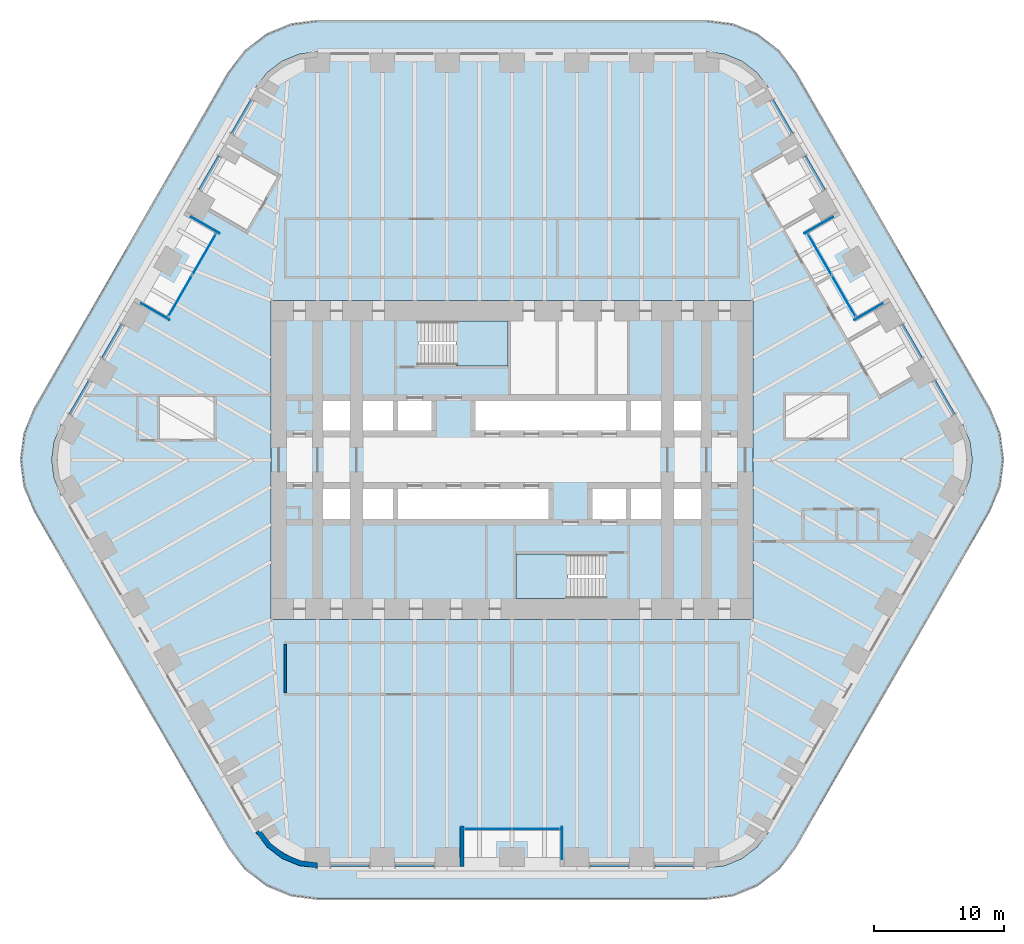
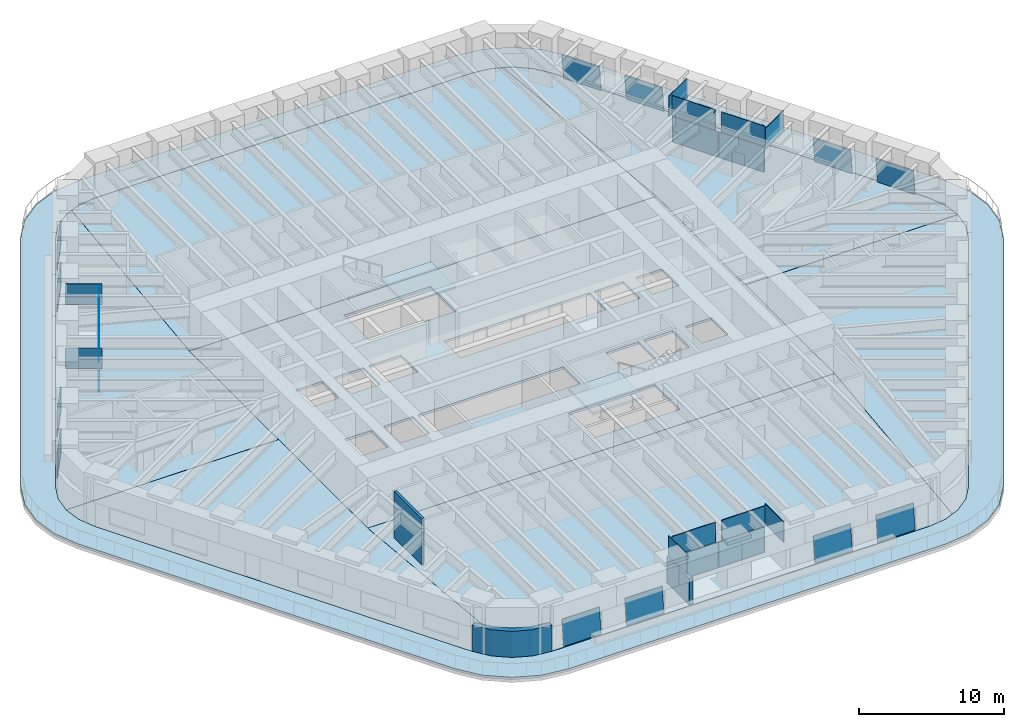
# One storey, part 11 of 19: 30 plates, 10 slabs, 3 walls, 17 elements without a shape of their own.
"""IFC4 building model written with IfcOpenShell, lengths in metres."""

from ifc_helpers import new_model, si_unit, direction, frame, frame_2d, origin, origin_2d, place, context, subcontext, project, spatial, polyline, rectangle, outline, extrude, material, layer, layer_set, type_object, element, aggregate, save


model = new_model("IFC4")

# Units and contexts
model_context = context("Model", 3, precision=1e-05, world=origin(), true_north=direction((0.0, 1.0)))
body_context = subcontext(model_context, "Body", "Model", "MODEL_VIEW")
ifc_project = project(units=[si_unit("LENGTHUNIT", "METRE"), si_unit("AREAUNIT", "SQUARE_METRE"), si_unit("VOLUMEUNIT", "CUBIC_METRE"), si_unit("PLANEANGLEUNIT", "RADIAN"), si_unit("MASSUNIT", "GRAM", prefix="KILO")], contexts=[model_context])

# Site, building, storey
site_placement = place(None, origin())
site = spatial("IfcSite", under=ifc_project, at=site_placement, CompositionType="ELEMENT")
building_placement = place(site_placement, origin())
building = spatial("IfcBuilding", under=site, at=building_placement, Name="Tarfa Lantern Tower", CompositionType="ELEMENT")
storey_placement = place(building_placement, frame((0.0, 0.0, 199.300048828125)))
storey = spatial("IfcBuildingStorey", under=building, at=storey_placement, Name="L45", CompositionType="ELEMENT", Elevation=199.300048828125)

# Slab
ifc_material_1 = material(Name="Concrete C40/50", Category="concrete")
ifc_layer_1 = layer(ifc_material_1, 0.199951171875)
ifc_layer_set_1 = layer_set([ifc_layer_1], Name="BS2 BALCONY SLAB 200")
slab_type_1 = type_object("IfcSlabType", Name="BS2 BALCONY SLAB 200", PredefinedType="FLOOR", material=ifc_layer_set_1)
slab_1_placement = place(storey_placement, frame((0.0, 0.0, -0.199951171875)))
element("IfcSlab", 1, at=slab_1_placement, inside=storey, type_object=slab_type_1, Name="Balcony L45", PredefinedType="FLOOR", context=body_context, shape_type="SweptSolid", body=[
    extrude(outline(polyline([(36.86376953125, 3.949951171875), (21.852783203125, 29.949951171875), (20.59716796875, 31.586181640625), (18.961181640625, 32.841552734375), (17.0556640625, 33.630859375), (15.010986328125, 33.89990234375), (-15.010986328125, 33.89990234375), (-17.0556640625, 33.630859375), (-18.961181640625, 32.841552734375), (-20.59716796875, 31.586181640625), (-21.852783203125, 29.949951171875), (-36.86376953125, 3.949951171875), (-37.653076171875, 2.044677734375), (-37.922119140625, 0.0), (-37.653076171875, -2.044677734375), (-36.86376953125, -3.949951171875), (-21.852783203125, -29.949951171875), (-20.59716796875, -31.586181640625), (-18.961181640625, -32.841552734375), (-17.0556640625, -33.630859375), (-15.010986328125, -33.89990234375), (15.010986328125, -33.89990234375), (17.0556640625, -33.630859375), (18.961181640625, -32.841552734375), (20.59716796875, -31.586181640625), (21.852783203125, -29.949951171875), (36.86376953125, -3.949951171875), (37.653076171875, -2.044677734375), (37.922119140625, 0.0), (37.653076171875, 2.044677734375), (36.86376953125, 3.949951171875)]), holes=[polyline([(34.785400390625, 2.75), (19.774169921875, 28.75), (18.900146484375, 29.88916015625), (17.760986328125, 30.76318359375), (16.4345703125, 31.3125), (15.010986328125, 31.5), (-15.010986328125, 31.5), (-16.4345703125, 31.3125), (-17.760986328125, 30.76318359375), (-18.900146484375, 29.88916015625), (-19.774169921875, 28.75), (-34.785400390625, 2.75), (-35.334716796875, 1.423583984375), (-35.522216796875, 0.0), (-35.334716796875, -1.423583984375), (-34.785400390625, -2.75), (-19.774169921875, -28.75), (-18.900146484375, -29.88916015625), (-17.760986328125, -30.76318359375), (-16.4345703125, -31.3125), (-15.010986328125, -31.5), (15.010986328125, -31.5), (16.4345703125, -31.3125), (17.760986328125, -30.76318359375), (18.900146484375, -29.88916015625), (19.774169921875, -28.75), (34.785400390625, -2.75), (35.334716796875, -1.423583984375), (35.522216796875, 0.0), (35.334716796875, 1.423583984375), (34.785400390625, 2.75)])]), origin(), (0.0, 0.0, 1.0), 0.199951171875),
])

# Curtain wall, plate
ifc_material_2 = material(Name="Aluminium framed curtain wall", Category="aluminium")
curtain_wall_type_1 = type_object("IfcCurtainWallType", Name="CW2 CANTED GLAZING MID ZONE 2200", PredefinedType="USERDEFINED", material=ifc_material_2)
curtain_wall_1_placement = place(storey_placement, origin())
curtain_wall_1 = element("IfcCurtainWall", 2, at=curtain_wall_1_placement, inside=storey, type_object=curtain_wall_type_1, Name="CW2 NE L45", ObjectType="CURTAIN WALL", PredefinedType="USERDEFINED")
ifc_material_3 = material(Name="Laminated double glazing", Category="glass")
ifc_layer_2 = layer(ifc_material_3, 0.028076171875)
ifc_layer_set_2 = layer_set([ifc_layer_2], Name="CWP1 DOUBLE GLAZED PANEL")
plate_type_1 = type_object("IfcPlateType", Name="CWP1 DOUBLE GLAZED PANEL", PredefinedType="CURTAIN_PANEL", material=ifc_layer_set_2)
plate_1_placement = place(storey_placement, frame((34.191162109375, 3.5791015625, 0.0), z_axis=(0.860488695583, 0.496812301489, 0.112857174619), x_axis=(-0.500006734102, 0.866021515814, 0.0)))
plate_1 = element("IfcPlate", 3, at=plate_1_placement, type_object=plate_type_1, Name="CW2 panel 1.1", PredefinedType="CURTAIN_PANEL", context=body_context, shape_type="SweptSolid", body=[
    extrude(outline(polyline([(0.0, 0.0), (2.9735927635465047, 0.0), (2.9734934222301255, 2.1487375755132647), (-9.934131637936994e-05, 2.1487375755132647), (0.0, 0.0)])), origin(), (0.0, 0.0, -1.0), 0.028076171875),
])
aggregate(curtain_wall_1, [plate_1])

curtain_wall_2_placement = place(storey_placement, origin())
curtain_wall_2 = element("IfcCurtainWall", 4, at=curtain_wall_2_placement, inside=storey, type_object=curtain_wall_type_1, Name="CW2 NE L45", ObjectType="CURTAIN WALL", PredefinedType="USERDEFINED")
plate_2_placement = place(storey_placement, frame((31.689453125, 7.912353515625, 0.0), z_axis=(0.860492093273, 0.496790714133, 0.1129262758), x_axis=(-0.499989185346, 0.866031647535, 2.303016e-06)))
plate_2 = element("IfcPlate", 5, at=plate_2_placement, type_object=plate_type_1, Name="CW2 panel 1.1", PredefinedType="CURTAIN_PANEL", context=body_context, shape_type="SweptSolid", body=[
    extrude(outline(polyline([(0.0, 0.0), (2.9735927629281242, 2.7755575615628914e-17), (2.973826925839256, 2.148747661304795), (2.272940343283563e-05, 2.148761446436233), (0.0, 0.0)])), origin(), (0.0, 0.0, -1.0), 0.028076171875),
])
aggregate(curtain_wall_2, [plate_2])

curtain_wall_3_placement = place(storey_placement, origin())
curtain_wall_3 = element("IfcCurtainWall", 6, at=curtain_wall_3_placement, inside=storey, type_object=curtain_wall_type_1, Name="CW2 NEB L45", ObjectType="CURTAIN WALL", PredefinedType="USERDEFINED")
plate_3_placement = place(storey_placement, frame((24.183837890625, 20.912353515625, 0.0), z_axis=(0.860492093273, 0.496790714133, 0.1129262758), x_axis=(-0.499989185346, 0.866031647535, 2.303016e-06)))
plate_3 = element("IfcPlate", 7, at=plate_3_placement, type_object=plate_type_1, Name="CW2 panel 1.1", PredefinedType="CURTAIN_PANEL", context=body_context, shape_type="SweptSolid", body=[
    extrude(outline(polyline([(0.0, 0.0), (2.9735927629281242, 2.7755575615628914e-17), (2.973826925839256, 2.148747661304795), (2.272940343283563e-05, 2.148761446436233), (0.0, 0.0)])), origin(), (0.0, 0.0, -1.0), 0.028076171875),
])
aggregate(curtain_wall_3, [plate_3])

curtain_wall_4_placement = place(storey_placement, origin())
curtain_wall_4 = element("IfcCurtainWall", 8, at=curtain_wall_4_placement, inside=storey, type_object=curtain_wall_type_1, Name="CW2 NEB L45", ObjectType="CURTAIN WALL", PredefinedType="USERDEFINED")
plate_4_placement = place(storey_placement, frame((21.681884765625, 25.24560546875, 0.0), z_axis=(0.860509088745, 0.496776978904, 0.112857172651), x_axis=(-0.499971184285, 0.866042039906, 0.0)))
plate_4 = element("IfcPlate", 9, at=plate_4_placement, type_object=plate_type_1, Name="CW2 panel 1.1", PredefinedType="CURTAIN_PANEL", context=body_context, shape_type="SweptSolid", body=[
    extrude(outline(polyline([(0.0, 0.0), (2.97380419708611, 0.0), (2.973694901346909, 2.1487375750299904), (-0.000109295739201209, 2.1487375750299904), (0.0, 0.0)])), origin(), (0.0, 0.0, -1.0), 0.028076171875),
])
aggregate(curtain_wall_4, [plate_4])

# Curtain wall, plates
curtain_wall_type_2 = type_object("IfcCurtainWallType", Name="CW10 LOGGIA GLAZING 2200", PredefinedType="USERDEFINED", material=ifc_material_2)
curtain_wall_5_placement = place(storey_placement, origin())
curtain_wall_5 = element("IfcCurtainWall", 10, at=curtain_wall_5_placement, inside=storey, type_object=curtain_wall_type_2, Name="CW10 NEL L45", ObjectType="CURTAIN WALL", PredefinedType="USERDEFINED")
plate_5_placement = place(storey_placement, frame((25.599609375, 12.660400390625, 0.0), z_axis=(0.0, 0.0, 1.0), x_axis=(-0.5, 0.866025403784, 0.0)))
plate_5 = element("IfcPlate", 11, at=plate_5_placement, type_object=plate_type_1, Name="CW10 panel 1.1", PredefinedType="CURTAIN_PANEL", context=body_context, shape_type="SweptSolid", body=[
    extrude(rectangle(XDim=3.606201171875, YDim=0.028076171875, at=origin_2d()), origin(), (0.0, 0.0, 1.0), 2.135009765625),
])
plate_6_placement = place(storey_placement, frame((23.763916015625, 15.839599609375, 0.0), z_axis=(0.0, 0.0, 1.0), x_axis=(-0.5, 0.866025403784, 0.0)))
plate_6 = element("IfcPlate", 12, at=plate_6_placement, type_object=plate_type_1, Name="CW10 panel 2.1", PredefinedType="CURTAIN_PANEL", context=body_context, shape_type="SweptSolid", body=[
    extrude(rectangle(XDim=3.606201171875, YDim=0.028076171875, at=origin_2d()), origin(), (0.0, 0.0, 1.0), 2.135009765625),
])
aggregate(curtain_wall_5, [plate_5, plate_6])

# Curtain wall, plate
curtain_wall_6_placement = place(storey_placement, origin())
curtain_wall_6 = element("IfcCurtainWall", 13, at=curtain_wall_6_placement, inside=storey, type_object=curtain_wall_type_1, Name="CW2 NW L45", ObjectType="CURTAIN WALL", PredefinedType="USERDEFINED")
plate_7_placement = place(storey_placement, frame((-20.195068359375, 27.821044921875, 0.0), z_axis=(-0.860509088745, 0.496776978904, 0.112857172651), x_axis=(-0.499971184285, -0.866042039906, 0.0)))
plate_7 = element("IfcPlate", 14, at=plate_7_placement, type_object=plate_type_1, Name="CW2 panel 1.1", PredefinedType="CURTAIN_PANEL", context=body_context, shape_type="SweptSolid", body=[
    extrude(outline(polyline([(0.0, 0.0), (2.97380419708611, 0.0), (2.9739134928253117, 2.1487375750299904), (0.000109295739201209, 2.1487375750299904), (0.0, 0.0)])), origin(), (0.0, 0.0, -1.0), 0.028076171875),
])
aggregate(curtain_wall_6, [plate_7])

curtain_wall_7_placement = place(storey_placement, origin())
curtain_wall_7 = element("IfcCurtainWall", 15, at=curtain_wall_7_placement, inside=storey, type_object=curtain_wall_type_1, Name="CW2 NW L45", ObjectType="CURTAIN WALL", PredefinedType="USERDEFINED")
plate_8_placement = place(storey_placement, frame((-22.697021484375, 23.487548828125, 0.0), z_axis=(-0.860492093273, 0.496790714133, 0.1129262758), x_axis=(-0.499989185346, -0.866031647535, -2.303016e-06)))
plate_8 = element("IfcPlate", 16, at=plate_8_placement, type_object=plate_type_1, Name="CW2 panel 1.1", PredefinedType="CURTAIN_PANEL", context=body_context, shape_type="SweptSolid", body=[
    extrude(outline(polyline([(0.0, 0.0), (2.9735927629281242, -2.7755575615628914e-17), (2.9735700335246915, 2.148761446436233), (-0.00023416291113181268, 2.148747661304795), (0.0, 0.0)])), origin(), (0.0, 0.0, -1.0), 0.028076171875),
])
aggregate(curtain_wall_7, [plate_8])

curtain_wall_8_placement = place(storey_placement, origin())
curtain_wall_8 = element("IfcCurtainWall", 17, at=curtain_wall_8_placement, inside=storey, type_object=curtain_wall_type_1, Name="CW2 NWB L45", ObjectType="CURTAIN WALL", PredefinedType="USERDEFINED")
plate_9_placement = place(storey_placement, frame((-30.20263671875, 10.487548828125, 0.0), z_axis=(-0.860492093273, 0.496790714133, 0.1129262758), x_axis=(-0.499989185346, -0.866031647535, -2.303016e-06)))
plate_9 = element("IfcPlate", 18, at=plate_9_placement, type_object=plate_type_1, Name="CW2 panel 1.1", PredefinedType="CURTAIN_PANEL", context=body_context, shape_type="SweptSolid", body=[
    extrude(outline(polyline([(0.0, 0.0), (2.9735927629281242, -2.7755575615628914e-17), (2.9735700335246915, 2.148761446436233), (-0.00023416291113181268, 2.148747661304795), (0.0, 0.0)])), origin(), (0.0, 0.0, -1.0), 0.028076171875),
])
aggregate(curtain_wall_8, [plate_9])

curtain_wall_9_placement = place(storey_placement, origin())
curtain_wall_9 = element("IfcCurtainWall", 19, at=curtain_wall_9_placement, inside=storey, type_object=curtain_wall_type_1, Name="CW2 NWB L45", ObjectType="CURTAIN WALL", PredefinedType="USERDEFINED")
plate_10_placement = place(storey_placement, frame((-32.704345703125, 6.154296875, 0.0), z_axis=(-0.860488695583, 0.496812301489, 0.112857174619), x_axis=(-0.500006734102, -0.866021515814, 0.0)))
plate_10 = element("IfcPlate", 20, at=plate_10_placement, type_object=plate_type_1, Name="CW2 panel 1.1", PredefinedType="CURTAIN_PANEL", context=body_context, shape_type="SweptSolid", body=[
    extrude(outline(polyline([(0.0, 0.0), (2.9735927635465047, 0.0), (2.973692104862884, 2.1487375755132647), (9.934131637936994e-05, 2.1487375755132647), (0.0, 0.0)])), origin(), (0.0, 0.0, -1.0), 0.028076171875),
])
aggregate(curtain_wall_9, [plate_10])

# Curtain wall, plates
curtain_wall_10_placement = place(storey_placement, origin())
curtain_wall_10 = element("IfcCurtainWall", 21, at=curtain_wall_10_placement, inside=storey, type_object=curtain_wall_type_2, Name="CW10 NWL L45", ObjectType="CURTAIN WALL", PredefinedType="USERDEFINED")
plate_11_placement = place(storey_placement, frame((-23.763916015625, 15.839599609375, 0.0), z_axis=(0.0, 0.0, 1.0), x_axis=(-0.5, -0.866025403784, 0.0)))
plate_11 = element("IfcPlate", 22, at=plate_11_placement, type_object=plate_type_1, Name="CW10 panel 1.1", PredefinedType="CURTAIN_PANEL", context=body_context, shape_type="SweptSolid", body=[
    extrude(rectangle(XDim=3.606201171875, YDim=0.028076171875, at=origin_2d()), origin(), (0.0, 0.0, 1.0), 2.135009765625),
])
plate_12_placement = place(storey_placement, frame((-25.599609375, 12.660400390625, 0.0), z_axis=(0.0, 0.0, 1.0), x_axis=(-0.5, -0.866025403784, 0.0)))
plate_12 = element("IfcPlate", 23, at=plate_12_placement, type_object=plate_type_1, Name="CW10 panel 2.1", PredefinedType="CURTAIN_PANEL", context=body_context, shape_type="SweptSolid", body=[
    extrude(rectangle(XDim=3.606201171875, YDim=0.028076171875, at=origin_2d()), origin(), (0.0, 0.0, 1.0), 2.135009765625),
])
aggregate(curtain_wall_10, [plate_11, plate_12])

# Curtain wall, plate
curtain_wall_11_placement = place(storey_placement, origin())
curtain_wall_11 = element("IfcCurtainWall", 24, at=curtain_wall_11_placement, inside=storey, type_object=curtain_wall_type_1, Name="CW2 S L45", ObjectType="CURTAIN WALL", PredefinedType="USERDEFINED")
plate_13_placement = place(storey_placement, frame((-13.99609375, -31.39990234375, 0.0), z_axis=(0.0, -0.993614811376, 0.112825558341), x_axis=(1.0, 0.0, 0.0)))
plate_13 = element("IfcPlate", 25, at=plate_13_placement, type_object=plate_type_1, Name="CW2 panel 1.1", PredefinedType="CURTAIN_PANEL", context=body_context, shape_type="SweptSolid", body=[
    extrude(outline(polyline([(0.0, 0.0), (2.9736328125, 0.0), (2.9736328125, 2.148729810769667), (0.0, 2.148729810769667), (0.0, 0.0)])), origin(), (0.0, 0.0, -1.0), 0.028076171875),
])
aggregate(curtain_wall_11, [plate_13])

curtain_wall_12_placement = place(storey_placement, origin())
curtain_wall_12 = element("IfcCurtainWall", 26, at=curtain_wall_12_placement, inside=storey, type_object=curtain_wall_type_1, Name="CW2 S L45", ObjectType="CURTAIN WALL", PredefinedType="USERDEFINED")
plate_14_placement = place(storey_placement, frame((-8.992431640625, -31.39990234375, 0.0), z_axis=(0.0, -0.993614811376, 0.112825558341), x_axis=(1.0, 0.0, 0.0)))
plate_14 = element("IfcPlate", 27, at=plate_14_placement, type_object=plate_type_1, Name="CW2 panel 1.1", PredefinedType="CURTAIN_PANEL", context=body_context, shape_type="SweptSolid", body=[
    extrude(outline(polyline([(0.0, 0.0), (2.9736328125, 0.0), (2.9736328125, 2.148729810769667), (0.0, 2.148729810769667), (0.0, 0.0)])), origin(), (0.0, 0.0, -1.0), 0.028076171875),
])
aggregate(curtain_wall_12, [plate_14])

curtain_wall_13_placement = place(storey_placement, origin())
curtain_wall_13 = element("IfcCurtainWall", 28, at=curtain_wall_13_placement, inside=storey, type_object=curtain_wall_type_1, Name="CW2 SB L45", ObjectType="CURTAIN WALL", PredefinedType="USERDEFINED")
plate_15_placement = place(storey_placement, frame((6.018798828125, -31.39990234375, 0.0), z_axis=(0.0, -0.993614811376, 0.112825558341), x_axis=(1.0, 0.0, 0.0)))
plate_15 = element("IfcPlate", 29, at=plate_15_placement, type_object=plate_type_1, Name="CW2 panel 1.1", PredefinedType="CURTAIN_PANEL", context=body_context, shape_type="SweptSolid", body=[
    extrude(outline(polyline([(0.0, 0.0), (2.9736328125, 0.0), (2.9736328125, 2.148729810769667), (0.0, 2.148729810769667), (0.0, 0.0)])), origin(), (0.0, 0.0, -1.0), 0.028076171875),
])
aggregate(curtain_wall_13, [plate_15])

curtain_wall_14_placement = place(storey_placement, origin())
curtain_wall_14 = element("IfcCurtainWall", 30, at=curtain_wall_14_placement, inside=storey, type_object=curtain_wall_type_1, Name="CW2 SB L45", ObjectType="CURTAIN WALL", PredefinedType="USERDEFINED")
plate_16_placement = place(storey_placement, frame((11.0224609375, -31.39990234375, 0.0), z_axis=(0.0, -0.993614811376, 0.112825558341), x_axis=(1.0, 0.0, 0.0)))
plate_16 = element("IfcPlate", 31, at=plate_16_placement, type_object=plate_type_1, Name="CW2 panel 1.1", PredefinedType="CURTAIN_PANEL", context=body_context, shape_type="SweptSolid", body=[
    extrude(outline(polyline([(0.0, 0.0), (2.9736328125, 0.0), (2.9736328125, 2.148729810769667), (0.0, 2.148729810769667), (0.0, 0.0)])), origin(), (0.0, 0.0, -1.0), 0.028076171875),
])
aggregate(curtain_wall_14, [plate_16])

# Curtain wall, plates
curtain_wall_15_placement = place(storey_placement, origin())
curtain_wall_15 = element("IfcCurtainWall", 32, at=curtain_wall_15_placement, inside=storey, type_object=curtain_wall_type_2, Name="CW10 SL L45", ObjectType="CURTAIN WALL", PredefinedType="USERDEFINED")
plate_17_placement = place(storey_placement, frame((-1.835693359375, -28.5, 0.0), z_axis=(0.0, 0.0, 1.0), x_axis=(1.0, 0.0, 0.0)))
plate_17 = element("IfcPlate", 33, at=plate_17_placement, type_object=plate_type_1, Name="CW10 panel 1.1", PredefinedType="CURTAIN_PANEL", context=body_context, shape_type="SweptSolid", body=[
    extrude(rectangle(XDim=3.606201171875, YDim=0.028076171875, at=origin_2d()), origin(), (0.0, 0.0, 1.0), 2.135009765625),
])
plate_18_placement = place(storey_placement, frame((1.835693359375, -28.5, 0.0), z_axis=(0.0, 0.0, 1.0), x_axis=(1.0, 0.0, 0.0)))
plate_18 = element("IfcPlate", 34, at=plate_18_placement, type_object=plate_type_1, Name="CW10 panel 2.1", PredefinedType="CURTAIN_PANEL", context=body_context, shape_type="SweptSolid", body=[
    extrude(rectangle(XDim=3.606201171875, YDim=0.028076171875, at=origin_2d()), origin(), (0.0, 0.0, 1.0), 2.135009765625),
])
aggregate(curtain_wall_15, [plate_17, plate_18])

# Slabs
ifc_layer_3 = layer(ifc_material_1, 0.199951171875)
ifc_layer_set_3 = layer_set([ifc_layer_3], Name="FS1 FLOOR SLAB 200")
slab_type_2 = type_object("IfcSlabType", Name="FS1 FLOOR SLAB 200", PredefinedType="FLOOR", material=ifc_layer_set_3)
slab_2_placement = place(storey_placement, frame((0.0, 0.0, -0.199951171875)))
element("IfcSlab", 35, at=slab_2_placement, inside=storey, type_object=slab_type_2, Name="Floor slab L45", PredefinedType="FLOOR", context=body_context, shape_type="SweptSolid", body=[
    extrude(outline(polyline([(-18.60009765625, -12.300048828125), (18.60009765625, -12.300048828125), (18.60009765625, 12.300048828125), (-18.60009765625, 12.300048828125), (-18.60009765625, -12.300048828125)]), holes=[polyline([(-14.60009765625, 2.25), (-12.5, 2.25), (-12.5, 4.550048828125), (-14.60009765625, 4.550048828125), (-14.60009765625, 2.25)]), polyline([(-11.5, 2.25), (-9.199951171875, 2.25), (-9.199951171875, 4.550048828125), (-11.5, 4.550048828125), (-11.5, 2.25)]), polyline([(-8.800048828125, 2.25), (-6.199951171875, 2.25), (-6.199951171875, 4.550048828125), (-8.800048828125, 4.550048828125), (-8.800048828125, 2.25)]), polyline([(-2.800048828125, 2.25), (8.800048828125, 2.25), (8.800048828125, 4.550048828125), (-2.800048828125, 4.550048828125), (-2.800048828125, 2.25)]), polyline([(9.199951171875, 2.25), (11.5, 2.25), (11.5, 4.550048828125), (9.199951171875, 4.550048828125), (9.199951171875, 2.25)]), polyline([(12.5, 2.25), (14.60009765625, 2.25), (14.60009765625, 4.550048828125), (12.5, 4.550048828125), (12.5, 2.25)]), polyline([(14.60009765625, -2.25), (12.5, -2.25), (12.5, -4.550048828125), (14.60009765625, -4.550048828125), (14.60009765625, -2.25)]), polyline([(11.5, -2.25), (9.199951171875, -2.25), (9.199951171875, -4.550048828125), (11.5, -4.550048828125), (11.5, -2.25)]), polyline([(8.800048828125, -2.25), (6.199951171875, -2.25), (6.199951171875, -4.550048828125), (8.800048828125, -4.550048828125), (8.800048828125, -2.25)]), polyline([(2.800048828125, -2.25), (-8.800048828125, -2.25), (-8.800048828125, -4.550048828125), (2.800048828125, -4.550048828125), (2.800048828125, -2.25)]), polyline([(-9.199951171875, -2.25), (-11.5, -2.25), (-11.5, -4.550048828125), (-9.199951171875, -4.550048828125), (-9.199951171875, -2.25)]), polyline([(-12.5, -2.25), (-14.60009765625, -2.25), (-14.60009765625, -4.550048828125), (-12.5, -4.550048828125), (-12.5, -2.25)]), polyline([(-7.199951171875, 7.25), (-0.300048828125, 7.25), (-0.300048828125, 10.699951171875), (-7.199951171875, 10.699951171875), (-7.199951171875, 7.25)]), polyline([(7.199951171875, -7.25), (0.300048828125, -7.25), (0.300048828125, -10.699951171875), (7.199951171875, -10.699951171875), (7.199951171875, -7.25)])]), origin(), (0.0, 0.0, 1.0), 0.199951171875),
])
slab_3_placement = place(storey_placement, frame((0.0, 0.0, -0.199951171875)))
element("IfcSlab", 36, at=slab_3_placement, inside=storey, type_object=slab_type_2, Name="Floor slab L45 NE bay", PredefinedType="FLOOR", context=body_context, shape_type="SweptSolid", body=[
    extrude(outline(polyline([(34.783447265625, 2.7490234375), (19.7724609375, 28.748779296875), (18.898681640625, 29.8876953125), (17.760009765625, 30.761474609375), (17.19189453125, 30.996826171875), (18.60205078125, 12.300048828125), (18.60205078125, 0.001953125), (35.52001953125, 0.001953125), (35.332763671875, 1.423095703125), (34.783447265625, 2.7490234375)])), origin(), (0.0, 0.0, 1.0), 0.199951171875),
])
slab_4_placement = place(storey_placement, frame((0.0, 0.0, -0.199951171875)))
element("IfcSlab", 37, at=slab_4_placement, inside=storey, type_object=slab_type_2, Name="Floor slab L45 N bay", PredefinedType="FLOOR", context=body_context, shape_type="SweptSolid", body=[
    extrude(outline(polyline([(-18.597900390625, 12.302001953125), (18.597900390625, 12.302001953125), (17.187744140625, 30.99853515625), (16.43408203125, 31.310546875), (15.010986328125, 31.498046875), (-15.010986328125, 31.498046875), (-16.43408203125, 31.310546875), (-17.187744140625, 30.99853515625), (-18.597900390625, 12.302001953125)])), origin(), (0.0, 0.0, 1.0), 0.199951171875),
])
slab_5_placement = place(storey_placement, frame((0.0, 0.0, -0.199951171875)))
element("IfcSlab", 38, at=slab_5_placement, inside=storey, type_object=slab_type_2, Name="Floor slab L45 NW bay", PredefinedType="FLOOR", context=body_context, shape_type="SweptSolid", body=[
    extrude(outline(polyline([(-18.60205078125, 0.001953125), (-18.60205078125, 12.300048828125), (-17.19189453125, 30.996826171875), (-17.760009765625, 30.761474609375), (-18.898681640625, 29.8876953125), (-19.7724609375, 28.748779296875), (-34.783447265625, 2.7490234375), (-35.332763671875, 1.423095703125), (-35.52001953125, 0.001953125), (-18.60205078125, 0.001953125)])), origin(), (0.0, 0.0, 1.0), 0.199951171875),
])
slab_6_placement = place(storey_placement, frame((0.0, 0.0, -0.199951171875)))
element("IfcSlab", 39, at=slab_6_placement, inside=storey, type_object=slab_type_2, Name="Floor slab L45 SW bay", PredefinedType="FLOOR", context=body_context, shape_type="SweptSolid", body=[
    extrude(outline(polyline([(-18.60205078125, -12.300048828125), (-18.60205078125, -0.001953125), (-35.52001953125, -0.001953125), (-35.332763671875, -1.423095703125), (-34.783447265625, -2.7490234375), (-19.7724609375, -28.748779296875), (-18.898681640625, -29.8876953125), (-17.760009765625, -30.761474609375), (-17.19189453125, -30.996826171875), (-18.60205078125, -12.300048828125)])), origin(), (0.0, 0.0, 1.0), 0.199951171875),
])
slab_7_placement = place(storey_placement, frame((0.0, 0.0, -0.199951171875)))
element("IfcSlab", 40, at=slab_7_placement, inside=storey, type_object=slab_type_2, Name="Floor slab L45 S bay", PredefinedType="FLOOR", context=body_context, shape_type="SweptSolid", body=[
    extrude(outline(polyline([(18.597900390625, -12.302001953125), (-18.597900390625, -12.302001953125), (-17.187744140625, -30.99853515625), (-16.43408203125, -31.310546875), (-15.010986328125, -31.498046875), (15.010986328125, -31.498046875), (16.43408203125, -31.310546875), (17.187744140625, -30.99853515625), (18.597900390625, -12.302001953125)])), origin(), (0.0, 0.0, 1.0), 0.199951171875),
])
slab_8_placement = place(storey_placement, frame((0.0, 0.0, -0.199951171875)))
element("IfcSlab", 41, at=slab_8_placement, inside=storey, type_object=slab_type_2, Name="Floor slab L45 SE bay", PredefinedType="FLOOR", context=body_context, shape_type="SweptSolid", body=[
    extrude(outline(polyline([(18.60205078125, -0.001953125), (18.60205078125, -12.300048828125), (17.19189453125, -30.996826171875), (17.760009765625, -30.761474609375), (18.898681640625, -29.8876953125), (19.7724609375, -28.748779296875), (34.783447265625, -2.7490234375), (35.332763671875, -1.423095703125), (35.52001953125, -0.001953125), (18.60205078125, -0.001953125)])), origin(), (0.0, 0.0, 1.0), 0.199951171875),
])

# Plates
ifc_material_4 = material(Name="Aluminium fascia panel", Category="aluminium")
ifc_layer_4 = layer(ifc_material_4, 0.050048828125)
ifc_layer_set_4 = layer_set([ifc_layer_4], Name="LF1 LOGGIA HEAD FASCIA 50")
plate_type_2 = type_object("IfcPlateType", Name="LF1 LOGGIA HEAD FASCIA 50", PredefinedType="USERDEFINED", material=ifc_layer_set_4)
for number, where, z_axis, x_axis, name in (
    (42, (25.670166015625, 12.5380859375, 2.2001953125), (0.0, 0.0, 1.0), (-0.5, 0.866025403784, 0.0), "Loggia head fascia NE"),
    (43, (23.693359375, 15.9619140625, 2.2001953125), (0.0, 0.0, 1.0), (-0.5, 0.866025403784, 0.0), "Loggia head fascia NE"),
):
    element("IfcPlate", number, at=place(storey_placement, frame(where, z_axis=z_axis, x_axis=x_axis)), inside=storey, type_object=plate_type_2, Name=name, ObjectType="FASCIA", PredefinedType="USERDEFINED", context=body_context, shape_type="SweptSolid", body=[
        extrude(rectangle(XDim=3.45361328125, YDim=0.050048828125, at=origin_2d()), origin(), (0.0, 0.0, 1.0), 1.699951171875),
    ])
for number, where, z_axis, x_axis, name in (
    (44, (27.526611328125, 11.442626953125, 2.2001953125), (0.0, 0.0, 1.0), (-0.866025403784, -0.5, 0.0), "Loggia head fascia NE"),
    (45, (23.6728515625, 18.117431640625, 2.2001953125), (0.0, 0.0, 1.0), (-0.866025403784, -0.5, 0.0), "Loggia head fascia NE"),
):
    element("IfcPlate", number, at=place(storey_placement, frame(where, z_axis=z_axis, x_axis=x_axis)), inside=storey, type_object=plate_type_2, Name=name, ObjectType="FASCIA", PredefinedType="USERDEFINED", context=body_context, shape_type="SweptSolid", body=[
        extrude(rectangle(XDim=2.52001953125, YDim=0.050048828125, at=origin_2d()), origin(), (0.0, 0.0, 1.0), 1.699951171875),
    ])
for number, where, z_axis, x_axis, name in (
    (46, (-23.693359375, 15.9619140625, 2.2001953125), (0.0, 0.0, 1.0), (-0.5, -0.866025403784, 0.0), "Loggia head fascia NW"),
    (47, (-25.670166015625, 12.5380859375, 2.2001953125), (0.0, 0.0, 1.0), (-0.5, -0.866025403784, 0.0), "Loggia head fascia NW"),
):
    element("IfcPlate", number, at=place(storey_placement, frame(where, z_axis=z_axis, x_axis=x_axis)), inside=storey, type_object=plate_type_2, Name=name, ObjectType="FASCIA", PredefinedType="USERDEFINED", context=body_context, shape_type="SweptSolid", body=[
        extrude(rectangle(XDim=3.45361328125, YDim=0.050048828125, at=origin_2d()), origin(), (0.0, 0.0, 1.0), 1.699951171875),
    ])
for number, where, z_axis, x_axis, name in (
    (48, (-23.6728515625, 18.117431640625, 2.2001953125), (0.0, 0.0, 1.0), (0.866025403784, -0.5, 0.0), "Loggia head fascia NW"),
    (49, (-27.526611328125, 11.442626953125, 2.2001953125), (0.0, 0.0, 1.0), (0.866025403784, -0.5, 0.0), "Loggia head fascia NW"),
):
    element("IfcPlate", number, at=place(storey_placement, frame(where, z_axis=z_axis, x_axis=x_axis)), inside=storey, type_object=plate_type_2, Name=name, ObjectType="FASCIA", PredefinedType="USERDEFINED", context=body_context, shape_type="SweptSolid", body=[
        extrude(rectangle(XDim=2.52001953125, YDim=0.050048828125, at=origin_2d()), origin(), (0.0, 0.0, 1.0), 1.699951171875),
    ])
for number, where, z_axis, x_axis, name in (
    (50, (-1.976806640625, -28.5, 2.2001953125), (0.0, 0.0, 1.0), (1.0, 0.0, 0.0), "Loggia head fascia S"),
    (51, (1.976806640625, -28.5, 2.2001953125), (0.0, 0.0, 1.0), (1.0, 0.0, 0.0), "Loggia head fascia S"),
):
    element("IfcPlate", number, at=place(storey_placement, frame(where, z_axis=z_axis, x_axis=x_axis)), inside=storey, type_object=plate_type_2, Name=name, ObjectType="FASCIA", PredefinedType="USERDEFINED", context=body_context, shape_type="SweptSolid", body=[
        extrude(rectangle(XDim=3.45361328125, YDim=0.050048828125, at=origin_2d()), origin(), (0.0, 0.0, 1.0), 1.699951171875),
    ])
for number, where, z_axis, x_axis, name in (
    (52, (-3.853759765625, -29.56005859375, 2.2001953125), (0.0, 0.0, 1.0), (0.0, 1.0, 0.0), "Loggia head fascia S"),
    (53, (3.853759765625, -29.56005859375, 2.2001953125), (0.0, 0.0, 1.0), (0.0, 1.0, 0.0), "Loggia head fascia S"),
):
    element("IfcPlate", number, at=place(storey_placement, frame(where, z_axis=z_axis, x_axis=x_axis)), inside=storey, type_object=plate_type_2, Name=name, ObjectType="FASCIA", PredefinedType="USERDEFINED", context=body_context, shape_type="SweptSolid", body=[
        extrude(rectangle(XDim=2.52001953125, YDim=0.050048828125, at=origin_2d()), origin(), (0.0, 0.0, 1.0), 1.699951171875),
    ])

# Stair, slab
stair_type = type_object("IfcStairType", Name="ST-T10 HALF-TURN STAIR 4200 RISE", PredefinedType="HALF_TURN_STAIR", material=ifc_material_1)
stair_1_placement = place(storey_placement, origin())
stair_1 = element("IfcStair", 54, at=stair_1_placement, inside=storey, type_object=stair_type, Name="Stair ST1", PredefinedType="HALF_TURN_STAIR")
ifc_layer_5 = layer(ifc_material_1, 0.199951171875)
ifc_layer_set_5 = layer_set([ifc_layer_5], Name="SL1 STAIR LANDING 200")
slab_type_3 = type_object("IfcSlabType", Name="SL1 STAIR LANDING 200", PredefinedType="LANDING", material=ifc_layer_set_5)
slab_9_placement = place(storey_placement, frame((0.0, 0.0, 1.89990234375)))
slab_9 = element("IfcSlab", 55, at=slab_9_placement, type_object=slab_type_3, Name="ST1 landing 1", PredefinedType="LANDING", context=body_context, shape_type="SweptSolid", body=[
    extrude(outline(polyline([(-4.320068359375, 7.25), (-0.300048828125, 7.25), (-0.300048828125, 10.699951171875), (-4.320068359375, 10.699951171875), (-4.320068359375, 7.25)])), origin(), (0.0, 0.0, 1.0), 0.199951171875),
])
aggregate(stair_1, [slab_9])

stair_2_placement = place(storey_placement, origin())
stair_2 = element("IfcStair", 56, at=stair_2_placement, inside=storey, type_object=stair_type, Name="Stair ST2", PredefinedType="HALF_TURN_STAIR")
slab_10_placement = place(storey_placement, frame((0.0, 0.0, 1.89990234375)))
slab_10 = element("IfcSlab", 57, at=slab_10_placement, type_object=slab_type_3, Name="ST2 landing 1", PredefinedType="LANDING", context=body_context, shape_type="SweptSolid", body=[
    extrude(outline(polyline([(4.320068359375, -7.25), (0.300048828125, -7.25), (0.300048828125, -10.699951171875), (4.320068359375, -10.699951171875), (4.320068359375, -7.25)])), origin(), (0.0, 0.0, 1.0), 0.199951171875),
])
aggregate(stair_2, [slab_10])

# Walls
ifc_material_5 = material(Name="Limestone cladding on blockwork", Category="masonry")
ifc_layer_6 = layer(ifc_material_5, 0.300048828125)
ifc_layer_set_6 = layer_set([ifc_layer_6], Name="EW1 STONE-CLAD WALL 300")
wall_type_1 = type_object("IfcWallType", Name="EW1 STONE-CLAD WALL 300", PredefinedType="SOLIDWALL", material=ifc_layer_set_6)
wall_1_placement = place(storey_placement, frame((-3.853759765625, -31.39990234375, 0.0), z_axis=(0.0, 0.0, 1.0), x_axis=(0.0, 1.0, 0.0)))
element("IfcWall", 58, at=wall_1_placement, inside=storey, type_object=wall_type_1, Name="Loggia return S 1", PredefinedType="SOLIDWALL", context=body_context, shape_type="SweptSolid", body=[
    extrude(rectangle(XDim=3.099853515625, YDim=0.300048828125, at=frame_2d((1.5498046875, 0.0))), origin(), (0.0, 0.0, 1.0), 2.199951171875),
])
ifc_layer_7 = layer(ifc_material_5, 0.39990234375)
ifc_layer_set_7 = layer_set([ifc_layer_7], Name="EW2 CURVED STONE CORNER 400")
wall_type_2 = type_object("IfcWallType", Name="EW2 CURVED STONE CORNER 400", PredefinedType="SOLIDWALL", material=ifc_layer_set_7)
wall_2_placement = place(storey_placement, origin())
element("IfcWall", 59, at=wall_2_placement, inside=storey, type_object=wall_type_2, Name="Stone corner SW-S", PredefinedType="SOLIDWALL", context=body_context, shape_type="SweptSolid", body=[
    extrude(outline(polyline([(-19.774169921875, -28.75), (-18.900146484375, -29.88916015625), (-17.760986328125, -30.76318359375), (-16.4345703125, -31.3125), (-15.010986328125, -31.5), (-15.010986328125, -31.10009765625), (-16.3310546875, -30.92626953125), (-17.56103515625, -30.416748046875), (-18.617431640625, -29.606201171875), (-19.427734375, -28.550048828125), (-19.774169921875, -28.75)])), origin(), (0.0, 0.0, 1.0), 2.199951171875),
])
ifc_material_6 = material(Name="Gypsum board on steel studs", Category="steel")
ifc_layer_8 = layer(ifc_material_6, 0.2099609375)
ifc_layer_set_8 = layer_set([ifc_layer_8], Name="IW2 ACOUSTIC PARTITION 200")
wall_type_3 = type_object("IfcWallType", Name="IW2 ACOUSTIC PARTITION 200", PredefinedType="PARTITIONING", material=ifc_layer_set_8)
wall_3_placement = place(storey_placement, frame((-17.5, -14.199951171875, 0.0), z_axis=(0.0, 0.0, 1.0), x_axis=(0.0, -1.0, 0.0)))
element("IfcWall", 60, at=wall_3_placement, inside=storey, type_object=wall_type_3, Name="Partition", PredefinedType="PARTITIONING", context=body_context, shape_type="SweptSolid", body=[
    extrude(rectangle(XDim=3.800048828125, YDim=0.199951171875, at=frame_2d((1.89990234375, 0.0))), origin(), (0.0, 0.0, 1.0), 3.89990234375),
])

save(model, "model.ifc")
